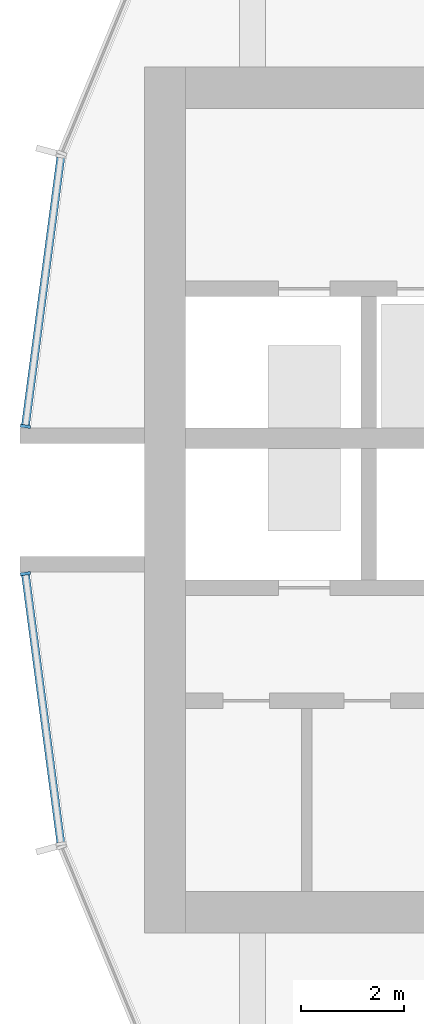
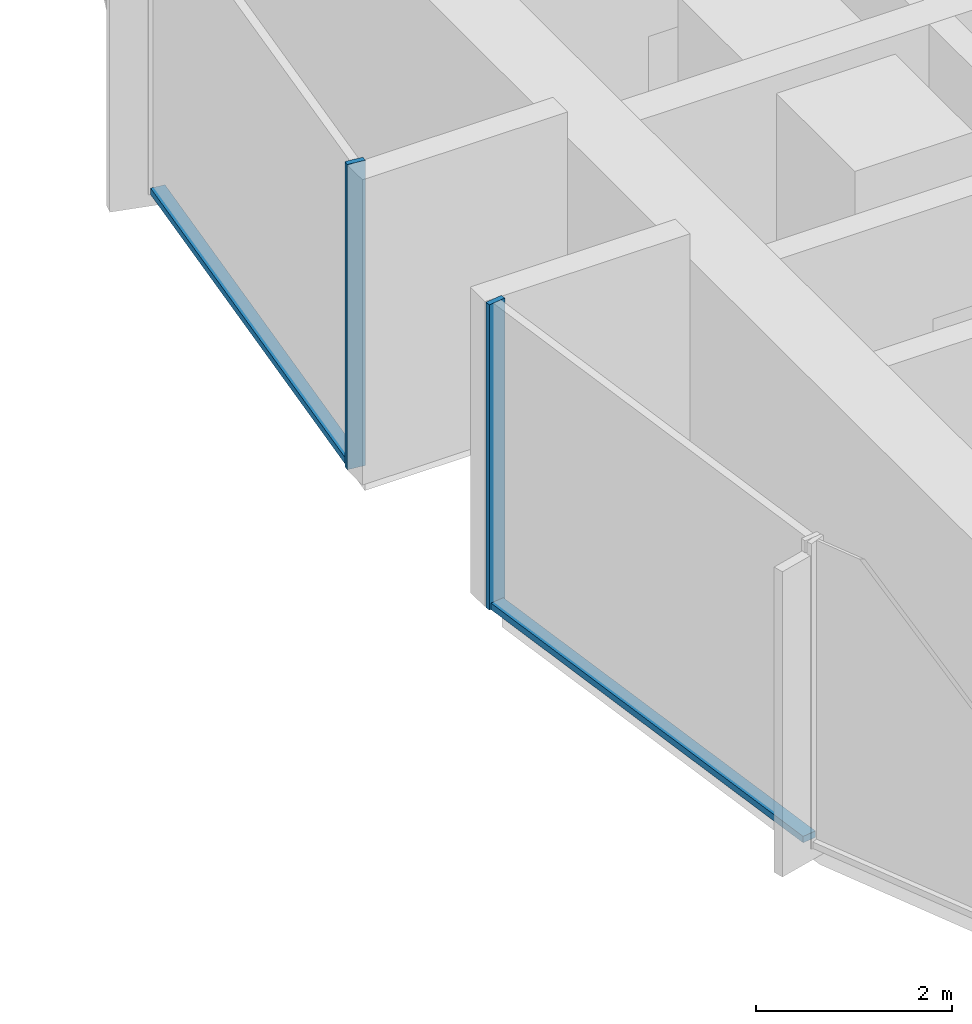
# One storey, part 3 of 15: 4 members, 2 elements without a shape of their own.
"""IFC4 building model written with IfcOpenShell, lengths in metres."""

from ifc_helpers import new_model, si_unit, direction, frame, origin, origin_2d, place, context, subcontext, project, spatial, rectangle, extrude, material, layer, layer_set, material_profile, profile_set, type_object, element, aggregate, save


model = new_model("IFC4")

# Units and contexts
model_context = context("Model", 3, precision=1e-05, world=origin(), true_north=direction((0.0, 1.0)))
body_context = subcontext(model_context, "Body", "Model", "MODEL_VIEW")
ifc_project = project(units=[si_unit("LENGTHUNIT", "METRE"), si_unit("AREAUNIT", "SQUARE_METRE"), si_unit("VOLUMEUNIT", "CUBIC_METRE"), si_unit("PLANEANGLEUNIT", "RADIAN"), si_unit("MASSUNIT", "GRAM", prefix="KILO")], contexts=[model_context])

# Site, building, storey
site_placement = place(None, origin())
site = spatial("IfcSite", under=ifc_project, at=site_placement, CompositionType="ELEMENT")
building_placement = place(site_placement, origin())
building = spatial("IfcBuilding", under=site, at=building_placement, Name="Torre Brocal", CompositionType="ELEMENT")
storey_placement = place(building_placement, frame((0.0, 0.0, 86.199951171875)))
storey = spatial("IfcBuildingStorey", under=building, at=storey_placement, Name="L19", CompositionType="ELEMENT", Elevation=86.199951171875)

# Curtain wall, member
ifc_material_1 = material(Name="Aluminium and glass", Category="aluminium")
ifc_layer = layer(ifc_material_1, 0.199951171875)
ifc_layer_set = layer_set([ifc_layer], Name="Aluminium and glass")
curtain_wall_type = type_object("IfcCurtainWallType", Name="CW-1B CURTAIN WALL 3800 HIGH", PredefinedType="NOTDEFINED", material=ifc_layer_set)
curtain_wall_1_placement = place(storey_placement, origin())
curtain_wall_1 = element("IfcCurtainWall", 1, at=curtain_wall_1_placement, inside=storey, type_object=curtain_wall_type, Name="CW-1B RUN 12", PredefinedType="NOTDEFINED")
ifc_material_2 = material(Name="Aluminium, dark anodised", Category="aluminium")
ifc_material_profile_1 = material_profile(ifc_material_2, rectangle(XDim=0.199951171875, YDim=0.06005859375, at=origin_2d()), Name="CW-1B MULLION 60X200")
ifc_profile_set_1 = profile_set([ifc_material_profile_1], Name="Aluminium, dark anodised")
member_type_1 = type_object("IfcMemberType", Name="CW-1B MULLION 60X200", PredefinedType="MULLION", material=ifc_profile_set_1)
member_1_placement = place(storey_placement, frame((54.2890625, 76.4296875, 0.0), z_axis=(0.0, 0.0, 1.0), x_axis=(0.991444861374, -0.13052619222, 0.0)))
member_1 = element("IfcMember", 2, at=member_1_placement, type_object=member_type_1, Name="CW1B-1 mullion 2", PredefinedType="MULLION", context=body_context, shape_type="SweptSolid", body=[
    extrude(rectangle(XDim=0.199951171875, YDim=0.06005859375, at=origin_2d()), origin(), (0.0, 0.0, 1.0), 3.800048828125),
])

curtain_wall_2_placement = place(storey_placement, origin())
curtain_wall_2 = element("IfcCurtainWall", 3, at=curtain_wall_2_placement, inside=storey, type_object=curtain_wall_type, Name="CW-1B RUN 13", PredefinedType="NOTDEFINED")
member_2_placement = place(storey_placement, frame((54.2890625, 73.5703125, 0.0), z_axis=(0.0, 0.0, 1.0), x_axis=(0.991444861374, 0.13052619222, 0.0)))
member_2 = element("IfcMember", 4, at=member_2_placement, type_object=member_type_1, Name="CW1B-1 mullion 1", PredefinedType="MULLION", context=body_context, shape_type="SweptSolid", body=[
    extrude(rectangle(XDim=0.199951171875, YDim=0.06005859375, at=origin_2d()), origin(), (0.0, 0.0, 1.0), 3.800048828125),
])

# Member
ifc_material_3 = material(Name="Aluminium, dark anodised", Category="aluminium")
ifc_material_profile_2 = material_profile(ifc_material_3, rectangle(XDim=0.159912109375, YDim=0.080078125, at=origin_2d()), Name="CW-1B TRANSOM 160X80")
ifc_profile_set_2 = profile_set([ifc_material_profile_2], Name="Aluminium, dark anodised")
member_type_2 = type_object("IfcMemberType", Name="CW-1B TRANSOM 160X80", PredefinedType="USERDEFINED", material=ifc_profile_set_2)
member_3_placement = place(storey_placement, frame((54.9755859375, 81.643798828125, 0.0400390625), z_axis=(-0.130542677827, -0.991442690863, 0.0), x_axis=(0.991442690863, -0.130542677827, 0.0)))
member_3 = element("IfcMember", 5, at=member_3_placement, type_object=member_type_2, Name="CW1B-1 transom 1.1", ObjectType="TRANSOM", PredefinedType="USERDEFINED", context=body_context, shape_type="SweptSolid", body=[
    extrude(rectangle(XDim=0.159912109375, YDim=0.080078125, at=origin_2d()), origin(), (0.0, 0.0, 1.0), 5.22900390625),
])

aggregate(curtain_wall_1, [member_1, member_3])

member_4_placement = place(storey_placement, frame((54.29296875, 73.54052734375, 0.0400390625), z_axis=(0.130542677827, -0.991442690863, 0.0), x_axis=(0.991442690863, 0.130542677827, 0.0)))
member_4 = element("IfcMember", 6, at=member_4_placement, type_object=member_type_2, Name="CW1B-1 transom 1.1", ObjectType="TRANSOM", PredefinedType="USERDEFINED", context=body_context, shape_type="SweptSolid", body=[
    extrude(rectangle(XDim=0.159912109375, YDim=0.080078125, at=origin_2d()), origin(), (0.0, 0.0, 1.0), 5.22900390625),
])

aggregate(curtain_wall_2, [member_2, member_4])

save(model, "model.ifc")
